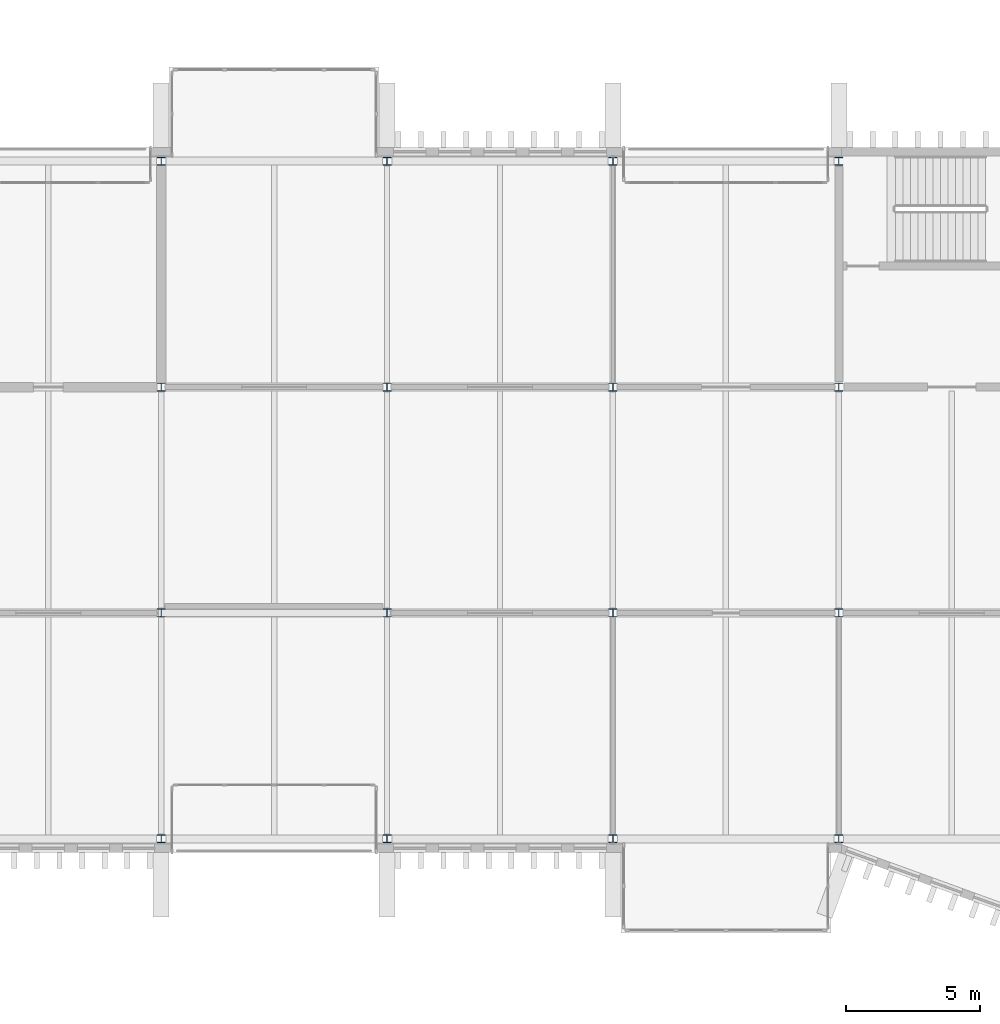
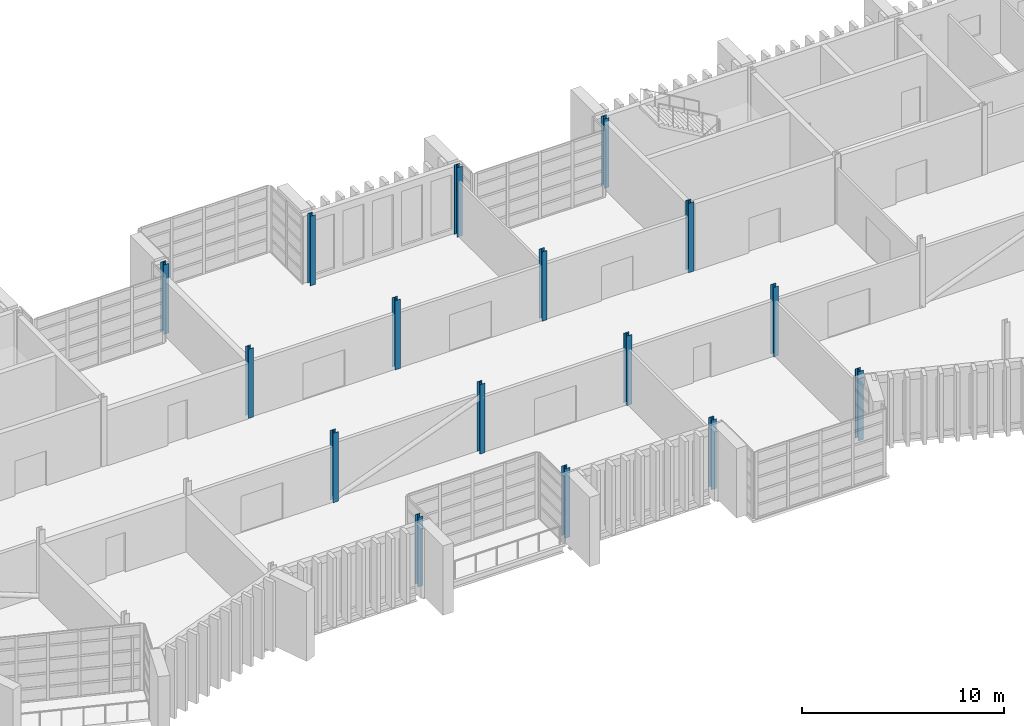
# One storey, part 4 of 100: 16 columns.
"""IFC4 building model written with IfcOpenShell, lengths in metres."""

from ifc_helpers import new_model, si_unit, direction, frame, origin, origin_2d, place, context, subcontext, project, spatial, i_section, extrude, material, material_profile, profile_set, type_object, element, save


model = new_model("IFC4")

# Units and contexts
model_context = context("Model", 3, precision=1e-05, world=origin(), true_north=direction((0.0, 1.0)))
body_context = subcontext(model_context, "Body", "Model", "MODEL_VIEW")
ifc_project = project(units=[si_unit("LENGTHUNIT", "METRE"), si_unit("AREAUNIT", "SQUARE_METRE"), si_unit("VOLUMEUNIT", "CUBIC_METRE"), si_unit("PLANEANGLEUNIT", "RADIAN"), si_unit("MASSUNIT", "GRAM", prefix="KILO")], contexts=[model_context])

# Site, building, storey
site_placement = place(None, origin())
site = spatial("IfcSite", under=ifc_project, at=site_placement, CompositionType="ELEMENT")
building_placement = place(site_placement, origin())
building = spatial("IfcBuilding", under=site, at=building_placement, Name="Cresset Court Congress Hotel", CompositionType="ELEMENT")
storey_placement = place(building_placement, frame((0.0, 0.0, 10.199951171875)))
storey = spatial("IfcBuildingStorey", under=building, at=storey_placement, Name="L02", CompositionType="ELEMENT", Elevation=10.199951171875)

# Columns
ifc_material = material(Name="Structural steel Q355B", Category="steel")
ifc_material_profile = material_profile(ifc_material, i_section(OverallWidth=0.300048828125, OverallDepth=0.300048828125, WebThickness=0.010009765625, FlangeThickness=0.014892578125, FilletRadius=0.012939453125, at=origin_2d()), Name="HW300x300x10x15")
ifc_profile_set = profile_set([ifc_material_profile], Name="Structural steel Q355B")
column_type = type_object("IfcColumnType", Name="Steel column HW300x300x10x15", PredefinedType="COLUMN", material=ifc_profile_set)
for number, where, z_axis, x_axis, name in (
    (1, (75.60009765625, 0.0, 0.0), (0.0, 0.0, 1.0), (1.0, 0.0, 0.0), "B.col.L02.10A"),
    (2, (75.60009765625, 8.39990234375, 0.0), (0.0, 0.0, 1.0), (1.0, 0.0, 0.0), "B.col.L02.10B"),
    (3, (75.60009765625, 16.800048828125, 0.0), (0.0, 0.0, 1.0), (1.0, 0.0, 0.0), "B.col.L02.10C"),
    (4, (75.60009765625, 25.199951171875, 0.0), (0.0, 0.0, 1.0), (1.0, 0.0, 0.0), "B.col.L02.10D"),
    (5, (84.0, 0.0, 0.0), (0.0, 0.0, 1.0), (1.0, 0.0, 0.0), "B.col.L02.11A"),
    (6, (84.0, 8.39990234375, 0.0), (0.0, 0.0, 1.0), (1.0, 0.0, 0.0), "B.col.L02.11B"),
    (7, (84.0, 16.800048828125, 0.0), (0.0, 0.0, 1.0), (1.0, 0.0, 0.0), "B.col.L02.11C"),
    (8, (84.0, 25.199951171875, 0.0), (0.0, 0.0, 1.0), (1.0, 0.0, 0.0), "B.col.L02.11D"),
    (9, (92.39990234375, 0.0, 0.0), (0.0, 0.0, 1.0), (1.0, 0.0, 0.0), "B.col.L02.12A"),
    (10, (92.39990234375, 8.39990234375, 0.0), (0.0, 0.0, 1.0), (1.0, 0.0, 0.0), "B.col.L02.12B"),
    (11, (92.39990234375, 16.800048828125, 0.0), (0.0, 0.0, 1.0), (1.0, 0.0, 0.0), "B.col.L02.12C"),
    (12, (92.39990234375, 25.199951171875, 0.0), (0.0, 0.0, 1.0), (1.0, 0.0, 0.0), "B.col.L02.12D"),
    (13, (100.800048828125, 0.0, 0.0), (0.0, 0.0, 1.0), (1.0, 0.0, 0.0), "B.col.L02.13A"),
    (14, (100.800048828125, 8.39990234375, 0.0), (0.0, 0.0, 1.0), (1.0, 0.0, 0.0), "B.col.L02.13B"),
    (15, (100.800048828125, 16.800048828125, 0.0), (0.0, 0.0, 1.0), (1.0, 0.0, 0.0), "B.col.L02.13C"),
    (16, (100.800048828125, 25.199951171875, 0.0), (0.0, 0.0, 1.0), (1.0, 0.0, 0.0), "B.col.L02.13D"),
):
    element("IfcColumn", number, at=place(storey_placement, frame(where, z_axis=z_axis, x_axis=x_axis)), inside=storey, type_object=column_type, Name=name, PredefinedType="COLUMN", context=body_context, shape_type="SweptSolid", body=[
        extrude(i_section(OverallWidth=0.300048828125, OverallDepth=0.300048828125, WebThickness=0.010009765625, FlangeThickness=0.014892578125, FilletRadius=0.012939453125, at=origin_2d()), origin(), (0.0, 0.0, 1.0), 4.199951171875),
    ])

save(model, "model.ifc")
